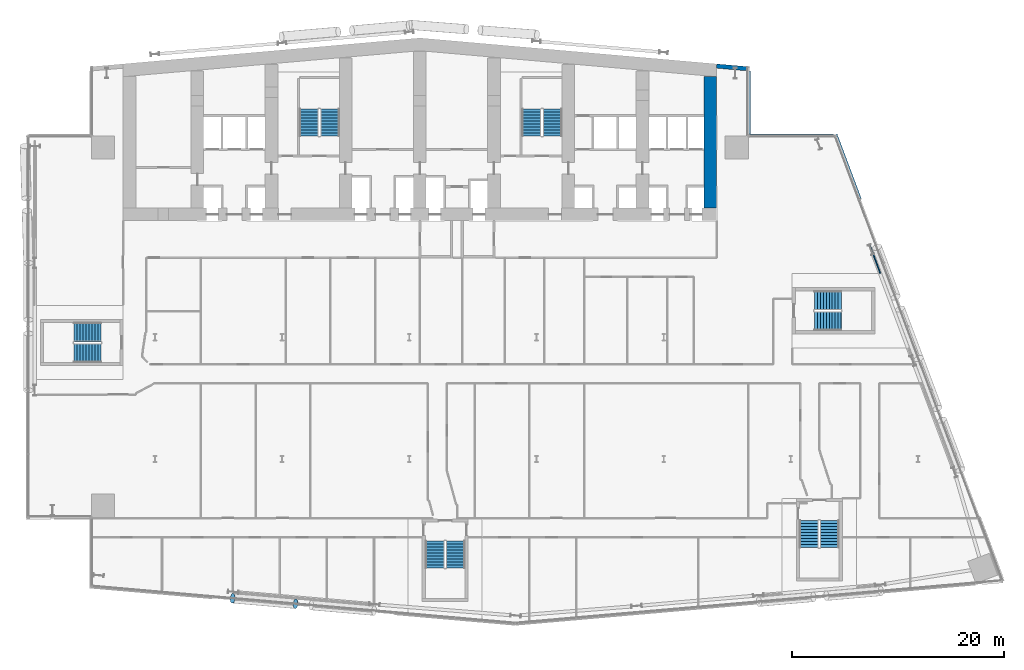
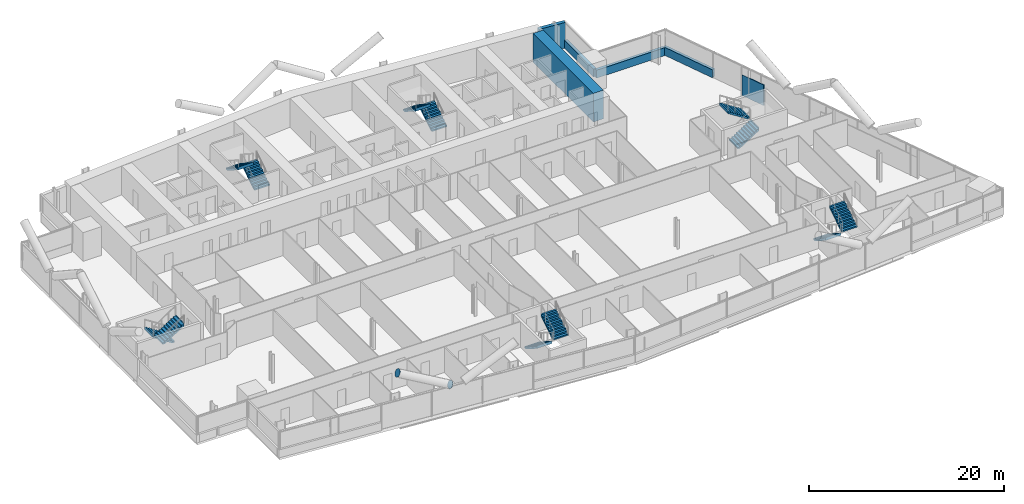
# One storey, part 20 of 27: 12 stair flights, 6 walls, 2 discrete accessories, 6 elements without a shape of their own.
"""IFC4 building model written with IfcOpenShell, lengths in metres."""

from ifc_helpers import new_model, si_unit, direction, frame, frame_2d, origin, origin_2d, place, context, subcontext, project, spatial, polyline, rectangle, circle, outline, extrude, material, layer, layer_set, material_profile, profile_set, type_object, element, aggregate, save


model = new_model("IFC4")

# Units and contexts
model_context = context("Model", 3, precision=1e-05, world=origin(), true_north=direction((0.0, 1.0)))
body_context = subcontext(model_context, "Body", "Model", "MODEL_VIEW")
ifc_project = project(units=[si_unit("LENGTHUNIT", "METRE"), si_unit("AREAUNIT", "SQUARE_METRE"), si_unit("VOLUMEUNIT", "CUBIC_METRE"), si_unit("PLANEANGLEUNIT", "RADIAN"), si_unit("MASSUNIT", "GRAM", prefix="KILO")], contexts=[model_context])

# Site, building, storey
site_placement = place(None, origin())
site = spatial("IfcSite", under=ifc_project, at=site_placement, CompositionType="ELEMENT")
building_placement = place(site_placement, origin())
building = spatial("IfcBuilding", under=site, at=building_placement, Name="Wharfspan Tower", CompositionType="ELEMENT")
storey_placement = place(building_placement, frame((0.0, 0.0, 55.899902)))
storey = spatial("IfcBuildingStorey", under=building, at=storey_placement, Name="L10", CompositionType="ELEMENT", Elevation=55.899902)

# Walls
ifc_material_1 = material(Name="Concrete C70/85", Category="concrete")
ifc_layer_1 = layer(ifc_material_1, 1.199951)
ifc_layer_set_1 = layer_set([ifc_layer_1], Name="Concrete C70/85")
wall_type_1 = type_object("IfcWallType", Name="Core wall 1200 C70/85", PredefinedType="SHEAR", material=ifc_layer_set_1)
wall_1_placement = place(storey_placement, frame((64.399902, 35.199951, 0.0), z_axis=(0.0, 0.0, 1.0), x_axis=(0.0, 1.0, 0.0)))
element("IfcWall", 1, at=wall_1_placement, inside=storey, type_object=wall_type_1, Name="Core cross wall EW1 L10", PredefinedType="SHEAR", context=body_context, shape_type="SweptSolid", body=[
    extrude(rectangle(XDim=12.382812, YDim=1.199951, at=frame_2d((6.191406, 0.0))), origin(), (0.0, 0.0, 1.0), 3.600098),
])
ifc_material_2 = material(Name="Gypsum board on steel studs", Category="steel")
ifc_layer_2 = layer(ifc_material_2, 0.100098)
ifc_layer_set_2 = layer_set([ifc_layer_2], Name="Gypsum board on steel studs")
wall_type_2 = type_object("IfcWallType", Name="Partition 100", PredefinedType="PARTITIONING", material=ifc_layer_set_2)
wall_2_placement = place(storey_placement, frame((80.44751, 29.02002, 0.0), z_axis=(0.0, 0.0, 1.0), x_axis=(-0.35129, 0.93627, 0.0)))
element("IfcWall", 2, at=wall_2_placement, inside=storey, type_object=wall_type_2, Name="Partition L10.w086", PredefinedType="PARTITIONING", context=body_context, shape_type="SweptSolid", body=[
    extrude(rectangle(XDim=2.910645, YDim=0.100098, at=frame_2d((1.455322, 0.0))), origin(), (0.0, 0.0, 1.0), 2.580078),
])
ifc_material_3 = material(Name="Concrete C40/50", Category="concrete")
ifc_layer_3 = layer(ifc_material_3, 0.350098)
ifc_layer_set_3 = layer_set([ifc_layer_3], Name="Concrete C40/50")
wall_type_3 = type_object("IfcWallType", Name="SPANDREL EXPOSED CONCRETE 350", PredefinedType="SOLIDWALL", material=ifc_layer_set_3)
wall_3_placement = place(storey_placement, frame((78.494141, 36.029785, 0.0), z_axis=(0.0, 0.0, 1.0), x_axis=(-0.351108, 0.936338, 0.0)))
element("IfcWall", 3, at=wall_3_placement, inside=storey, type_object=wall_type_3, Name="Spandrel upstand L10 E 2", PredefinedType="SOLIDWALL", context=body_context, shape_type="SweptSolid", body=[
    extrude(rectangle(XDim=6.50293, YDim=0.350098, at=frame_2d((3.251465, 0.0))), origin(), (0.0, 0.0, 1.0), 1.0),
])
wall_4_placement = place(storey_placement, frame((76.047119, 42.004883, 0.0), z_axis=(0.0, 0.0, 1.0), x_axis=(-1.0, 0.0, 0.0)))
element("IfcWall", 4, at=wall_4_placement, inside=storey, type_object=wall_type_3, Name="Spandrel upstand L10 NRE-H", PredefinedType="SOLIDWALL", context=body_context, shape_type="SweptSolid", body=[
    extrude(rectangle(XDim=8.047119, YDim=0.350098, at=frame_2d((4.023438, 0.0))), origin(), (0.0, 0.0, 1.0), 1.0),
])
wall_5_placement = place(storey_placement, frame((68.004883, 42.179932, 0.0), z_axis=(0.0, 0.0, 1.0), x_axis=(0.0, 1.0, 0.0)))
element("IfcWall", 5, at=wall_5_placement, inside=storey, type_object=wall_type_3, Name="Spandrel upstand L10 NRE-V", PredefinedType="SOLIDWALL", context=body_context, shape_type="SweptSolid", body=[
    extrude(rectangle(XDim=5.946533, YDim=0.350098, at=frame_2d((2.973145, 0.0))), origin(), (0.0, 0.0, 1.0), 1.0),
])
ifc_layer_4 = layer(ifc_material_3, 0.399902)
ifc_layer_set_4 = layer_set([ifc_layer_4], Name="Concrete C40/50")
wall_type_4 = type_object("IfcWallType", Name="WALL EXPOSED CONCRETE 400", PredefinedType="SOLIDWALL", material=ifc_layer_set_4)
wall_6_placement = place(storey_placement, frame((67.982666, 48.325684, 0.0), z_axis=(0.0, 0.0, 1.0), x_axis=(-0.996194, 0.087168, 0.0)))
element("IfcWall", 6, at=wall_6_placement, inside=storey, type_object=wall_type_4, Name="Rear wall N2", PredefinedType="SOLIDWALL", context=body_context, shape_type="SweptSolid", body=[
    extrude(rectangle(XDim=2.994141, YDim=0.399902, at=frame_2d((1.49707, 0.0))), origin(), (0.0, 0.0, 1.0), 3.200195),
])

# Stair, stair flights
stair_type = type_object("IfcStairType", Name="Half-turn stair 20 risers 180 mm", PredefinedType="HALF_TURN_STAIR", material=ifc_material_3)
stair_1_placement = place(storey_placement, origin())
stair_1 = element("IfcStair", 7, at=stair_1_placement, inside=storey, type_object=stair_type, Name="L10 stair ST1", PredefinedType="HALF_TURN_STAIR")
stair_flight_type = type_object("IfcStairFlightType", Name="Stair flight 20 risers 180 mm", PredefinedType="STRAIGHT", material=ifc_material_3)
stair_flight_1_placement = place(storey_placement, frame((28.5, 42.0, 0.0), z_axis=(0.0, 0.0, 1.0), x_axis=(0.0, 1.0, 0.0)))
stair_flight_1 = element("IfcStairFlight", 8, at=stair_flight_1_placement, type_object=stair_flight_type, Name="ST1 flight 1", NumberOfRisers=10, NumberOfTreads=9, PredefinedType="STRAIGHT", RiserHeight=0.18, TreadLength=0.28, context=body_context, shape_type="SweptSolid", body=[
    extrude(outline(polyline([(-0.011963, 0.0), (-0.011963, 0.179932), (0.0, 0.179932), (0.280029, 0.179932), (0.280029, 0.360107), (0.560059, 0.360107), (0.560059, 0.540039), (0.840088, 0.540039), (0.840088, 0.719971), (1.120117, 0.719971), (1.120117, 0.899902), (1.399902, 0.899902), (1.399902, 1.080078), (1.679932, 1.080078), (1.679932, 1.26001), (1.959961, 1.26001), (1.959961, 1.439941), (2.23999, 1.439941), (2.23999, 1.620117), (2.52002, 1.620117), (2.531982, 1.800049), (2.531982, 1.441895), (0.2771, 0.0), (-0.011963, 0.0)])), frame((0.0, 0.899902, 0.0), z_axis=(0.0, -1.0, 0.0), x_axis=(1.0, 0.0, 0.0)), (0.0, 0.0, 1.0), 0.899414),
    extrude(outline(polyline([(-0.011963, 0.0), (-0.011963, 0.179932), (0.0, 0.179932), (0.280029, 0.179932), (0.280029, 0.360107), (0.560059, 0.360107), (0.560059, 0.540039), (0.840088, 0.540039), (0.840088, 0.719971), (1.120117, 0.719971), (1.120117, 0.899902), (1.399902, 0.899902), (1.399902, 1.080078), (1.679932, 1.080078), (1.679932, 1.26001), (1.959961, 1.26001), (1.959961, 1.439941), (2.23999, 1.439941), (2.23999, 1.620117), (2.52002, 1.620117), (2.531982, 1.800049), (2.531982, 1.441895), (0.2771, 0.0), (-0.011963, 0.0)])), frame((0.0, -0.000488, 0.0), z_axis=(0.0, -1.0, 0.0), x_axis=(1.0, 0.0, 0.0)), (0.0, 0.0, 1.0), 0.899414),
])
stair_flight_2_placement = place(storey_placement, frame((26.550049, 44.52002, 1.800049), z_axis=(0.0, 0.0, 1.0), x_axis=(0.0, -1.0, 0.0)))
stair_flight_2 = element("IfcStairFlight", 9, at=stair_flight_2_placement, type_object=stair_flight_type, Name="ST1 flight 2", NumberOfRisers=10, NumberOfTreads=9, PredefinedType="STRAIGHT", RiserHeight=0.18, TreadLength=0.28, context=body_context, shape_type="SweptSolid", body=[
    extrude(outline(polyline([(-0.011963, 0.0), (-0.011963, 0.179932), (0.0, 0.179932), (0.280029, 0.179932), (0.280029, 0.360107), (0.560059, 0.360107), (0.560059, 0.540039), (0.840088, 0.540039), (0.840088, 0.719971), (1.120117, 0.719971), (1.120117, 0.899902), (1.399902, 0.899902), (1.399902, 1.080078), (1.679932, 1.080078), (1.679932, 1.26001), (1.959961, 1.26001), (1.959961, 1.439941), (2.23999, 1.439941), (2.23999, 1.620117), (2.52002, 1.620117), (2.531982, 1.800049), (2.531982, 1.441895), (0.2771, 0.0), (-0.011963, 0.0)])), frame((0.0, 0.899902, 0.0), z_axis=(0.0, -1.0, 0.0), x_axis=(1.0, 0.0, 0.0)), (0.0, 0.0, 1.0), 0.899414),
    extrude(outline(polyline([(-0.011963, 0.0), (-0.011963, 0.179932), (0.0, 0.179932), (0.280029, 0.179932), (0.280029, 0.360107), (0.560059, 0.360107), (0.560059, 0.540039), (0.840088, 0.540039), (0.840088, 0.719971), (1.120117, 0.719971), (1.120117, 0.899902), (1.399902, 0.899902), (1.399902, 1.080078), (1.679932, 1.080078), (1.679932, 1.26001), (1.959961, 1.26001), (1.959961, 1.439941), (2.23999, 1.439941), (2.23999, 1.620117), (2.52002, 1.620117), (2.531982, 1.800049), (2.531982, 1.441895), (0.2771, 0.0), (-0.011963, 0.0)])), frame((0.0, -0.000488, 0.0), z_axis=(0.0, -1.0, 0.0), x_axis=(1.0, 0.0, 0.0)), (0.0, 0.0, 1.0), 0.899414),
])
aggregate(stair_1, [stair_flight_1, stair_flight_2])

stair_2_placement = place(storey_placement, origin())
stair_2 = element("IfcStair", 10, at=stair_2_placement, inside=storey, type_object=stair_type, Name="L10 stair ST2", PredefinedType="HALF_TURN_STAIR")
stair_flight_3_placement = place(storey_placement, frame((49.5, 42.0, 0.0), z_axis=(0.0, 0.0, 1.0), x_axis=(0.0, 1.0, 0.0)))
stair_flight_3 = element("IfcStairFlight", 11, at=stair_flight_3_placement, type_object=stair_flight_type, Name="ST2 flight 1", NumberOfRisers=10, NumberOfTreads=9, PredefinedType="STRAIGHT", RiserHeight=0.18, TreadLength=0.28, context=body_context, shape_type="SweptSolid", body=[
    extrude(outline(polyline([(-0.011963, 0.0), (-0.011963, 0.179932), (0.0, 0.179932), (0.280029, 0.179932), (0.280029, 0.360107), (0.560059, 0.360107), (0.560059, 0.540039), (0.840088, 0.540039), (0.840088, 0.719971), (1.120117, 0.719971), (1.120117, 0.899902), (1.399902, 0.899902), (1.399902, 1.080078), (1.679932, 1.080078), (1.679932, 1.26001), (1.959961, 1.26001), (1.959961, 1.439941), (2.23999, 1.439941), (2.23999, 1.620117), (2.52002, 1.620117), (2.531982, 1.800049), (2.531982, 1.441895), (0.2771, 0.0), (-0.011963, 0.0)])), frame((0.0, 0.899902, 0.0), z_axis=(0.0, -1.0, 0.0), x_axis=(1.0, 0.0, 0.0)), (0.0, 0.0, 1.0), 0.899414),
    extrude(outline(polyline([(-0.011963, 0.0), (-0.011963, 0.179932), (0.0, 0.179932), (0.280029, 0.179932), (0.280029, 0.360107), (0.560059, 0.360107), (0.560059, 0.540039), (0.840088, 0.540039), (0.840088, 0.719971), (1.120117, 0.719971), (1.120117, 0.899902), (1.399902, 0.899902), (1.399902, 1.080078), (1.679932, 1.080078), (1.679932, 1.26001), (1.959961, 1.26001), (1.959961, 1.439941), (2.23999, 1.439941), (2.23999, 1.620117), (2.52002, 1.620117), (2.531982, 1.800049), (2.531982, 1.441895), (0.2771, 0.0), (-0.011963, 0.0)])), frame((0.0, -0.000488, 0.0), z_axis=(0.0, -1.0, 0.0), x_axis=(1.0, 0.0, 0.0)), (0.0, 0.0, 1.0), 0.899414),
])
stair_flight_4_placement = place(storey_placement, frame((47.550049, 44.52002, 1.800049), z_axis=(0.0, 0.0, 1.0), x_axis=(0.0, -1.0, 0.0)))
stair_flight_4 = element("IfcStairFlight", 12, at=stair_flight_4_placement, type_object=stair_flight_type, Name="ST2 flight 2", NumberOfRisers=10, NumberOfTreads=9, PredefinedType="STRAIGHT", RiserHeight=0.18, TreadLength=0.28, context=body_context, shape_type="SweptSolid", body=[
    extrude(outline(polyline([(-0.011963, 0.0), (-0.011963, 0.179932), (0.0, 0.179932), (0.280029, 0.179932), (0.280029, 0.360107), (0.560059, 0.360107), (0.560059, 0.540039), (0.840088, 0.540039), (0.840088, 0.719971), (1.120117, 0.719971), (1.120117, 0.899902), (1.399902, 0.899902), (1.399902, 1.080078), (1.679932, 1.080078), (1.679932, 1.26001), (1.959961, 1.26001), (1.959961, 1.439941), (2.23999, 1.439941), (2.23999, 1.620117), (2.52002, 1.620117), (2.531982, 1.800049), (2.531982, 1.441895), (0.2771, 0.0), (-0.011963, 0.0)])), frame((0.0, 0.899902, 0.0), z_axis=(0.0, -1.0, 0.0), x_axis=(1.0, 0.0, 0.0)), (0.0, 0.0, 1.0), 0.899414),
    extrude(outline(polyline([(-0.011963, 0.0), (-0.011963, 0.179932), (0.0, 0.179932), (0.280029, 0.179932), (0.280029, 0.360107), (0.560059, 0.360107), (0.560059, 0.540039), (0.840088, 0.540039), (0.840088, 0.719971), (1.120117, 0.719971), (1.120117, 0.899902), (1.399902, 0.899902), (1.399902, 1.080078), (1.679932, 1.080078), (1.679932, 1.26001), (1.959961, 1.26001), (1.959961, 1.439941), (2.23999, 1.439941), (2.23999, 1.620117), (2.52002, 1.620117), (2.531982, 1.800049), (2.531982, 1.441895), (0.2771, 0.0), (-0.011963, 0.0)])), frame((0.0, -0.000488, 0.0), z_axis=(0.0, -1.0, 0.0), x_axis=(1.0, 0.0, 0.0)), (0.0, 0.0, 1.0), 0.899414),
])
aggregate(stair_2, [stair_flight_3, stair_flight_4])

stair_3_placement = place(storey_placement, origin())
stair_3 = element("IfcStair", 13, at=stair_3_placement, inside=storey, type_object=stair_type, Name="L10 stair ST3", PredefinedType="HALF_TURN_STAIR")
stair_flight_5_placement = place(storey_placement, frame((6.899902, 23.475098, 0.0), z_axis=(0.0, 0.0, 1.0), x_axis=(-1.0, 0.0, 0.0)))
stair_flight_5 = element("IfcStairFlight", 14, at=stair_flight_5_placement, type_object=stair_flight_type, Name="ST3 flight 1", NumberOfRisers=10, NumberOfTreads=9, PredefinedType="STRAIGHT", RiserHeight=0.18, TreadLength=0.28, context=body_context, shape_type="SweptSolid", body=[
    extrude(outline(polyline([(-0.011963, 0.0), (-0.011963, 0.179932), (0.0, 0.179932), (0.280029, 0.179932), (0.280029, 0.360107), (0.560059, 0.360107), (0.560059, 0.540039), (0.840088, 0.540039), (0.840088, 0.719971), (1.120117, 0.719971), (1.120117, 0.899902), (1.399902, 0.899902), (1.399902, 1.080078), (1.679932, 1.080078), (1.679932, 1.26001), (1.959961, 1.26001), (1.959961, 1.439941), (2.23999, 1.439941), (2.23999, 1.620117), (2.52002, 1.620117), (2.531982, 1.800049), (2.531982, 1.441895), (0.2771, 0.0), (-0.011963, 0.0)])), frame((0.0, 0.899902, 0.0), z_axis=(0.0, -1.0, 0.0), x_axis=(1.0, 0.0, 0.0)), (0.0, 0.0, 1.0), 0.899414),
    extrude(outline(polyline([(-0.011963, 0.0), (-0.011963, 0.179932), (0.0, 0.179932), (0.280029, 0.179932), (0.280029, 0.360107), (0.560059, 0.360107), (0.560059, 0.540039), (0.840088, 0.540039), (0.840088, 0.719971), (1.120117, 0.719971), (1.120117, 0.899902), (1.399902, 0.899902), (1.399902, 1.080078), (1.679932, 1.080078), (1.679932, 1.26001), (1.959961, 1.26001), (1.959961, 1.439941), (2.23999, 1.439941), (2.23999, 1.620117), (2.52002, 1.620117), (2.531982, 1.800049), (2.531982, 1.441895), (0.2771, 0.0), (-0.011963, 0.0)])), frame((0.0, -0.000488, 0.0), z_axis=(0.0, -1.0, 0.0), x_axis=(1.0, 0.0, 0.0)), (0.0, 0.0, 1.0), 0.899414),
])
stair_flight_6_placement = place(storey_placement, frame((4.379883, 21.524902, 1.800049), z_axis=(0.0, 0.0, 1.0), x_axis=(1.0, 0.0, 0.0)))
stair_flight_6 = element("IfcStairFlight", 15, at=stair_flight_6_placement, type_object=stair_flight_type, Name="ST3 flight 2", NumberOfRisers=10, NumberOfTreads=9, PredefinedType="STRAIGHT", RiserHeight=0.18, TreadLength=0.28, context=body_context, shape_type="SweptSolid", body=[
    extrude(outline(polyline([(-0.011963, 0.0), (-0.011963, 0.179932), (0.0, 0.179932), (0.280029, 0.179932), (0.280029, 0.360107), (0.560059, 0.360107), (0.560059, 0.540039), (0.840088, 0.540039), (0.840088, 0.719971), (1.120117, 0.719971), (1.120117, 0.899902), (1.399902, 0.899902), (1.399902, 1.080078), (1.679932, 1.080078), (1.679932, 1.26001), (1.959961, 1.26001), (1.959961, 1.439941), (2.23999, 1.439941), (2.23999, 1.620117), (2.52002, 1.620117), (2.531982, 1.800049), (2.531982, 1.441895), (0.2771, 0.0), (-0.011963, 0.0)])), frame((0.0, 0.899902, 0.0), z_axis=(0.0, -1.0, 0.0), x_axis=(1.0, 0.0, 0.0)), (0.0, 0.0, 1.0), 0.899414),
    extrude(outline(polyline([(-0.011963, 0.0), (-0.011963, 0.179932), (0.0, 0.179932), (0.280029, 0.179932), (0.280029, 0.360107), (0.560059, 0.360107), (0.560059, 0.540039), (0.840088, 0.540039), (0.840088, 0.719971), (1.120117, 0.719971), (1.120117, 0.899902), (1.399902, 0.899902), (1.399902, 1.080078), (1.679932, 1.080078), (1.679932, 1.26001), (1.959961, 1.26001), (1.959961, 1.439941), (2.23999, 1.439941), (2.23999, 1.620117), (2.52002, 1.620117), (2.531982, 1.800049), (2.531982, 1.441895), (0.2771, 0.0), (-0.011963, 0.0)])), frame((0.0, -0.000488, 0.0), z_axis=(0.0, -1.0, 0.0), x_axis=(1.0, 0.0, 0.0)), (0.0, 0.0, 1.0), 0.899414),
])
aggregate(stair_3, [stair_flight_5, stair_flight_6])

stair_4_placement = place(storey_placement, origin())
stair_4 = element("IfcStair", 16, at=stair_4_placement, inside=storey, type_object=stair_type, Name="L10 stair ST4", PredefinedType="HALF_TURN_STAIR")
stair_flight_7_placement = place(storey_placement, frame((38.408203, 3.760498, 0.0), z_axis=(0.0, 0.0, 1.0), x_axis=(0.0, -1.0, 0.0)))
stair_flight_7 = element("IfcStairFlight", 17, at=stair_flight_7_placement, type_object=stair_flight_type, Name="ST4 flight 1", NumberOfRisers=10, NumberOfTreads=9, PredefinedType="STRAIGHT", RiserHeight=0.18, TreadLength=0.28, context=body_context, shape_type="SweptSolid", body=[
    extrude(outline(polyline([(-0.011963, 0.0), (-0.011963, 0.179932), (0.0, 0.179932), (0.280029, 0.179932), (0.280029, 0.360107), (0.560059, 0.360107), (0.560059, 0.540039), (0.840088, 0.540039), (0.840088, 0.719971), (1.120117, 0.719971), (1.120117, 0.899902), (1.399902, 0.899902), (1.399902, 1.080078), (1.679932, 1.080078), (1.679932, 1.26001), (1.959961, 1.26001), (1.959961, 1.439941), (2.23999, 1.439941), (2.23999, 1.620117), (2.52002, 1.620117), (2.531982, 1.800049), (2.531982, 1.441895), (0.2771, 0.0), (-0.011963, 0.0)])), frame((0.0, 0.899902, 0.0), z_axis=(0.0, -1.0, 0.0), x_axis=(1.0, 0.0, 0.0)), (0.0, 0.0, 1.0), 0.899414),
    extrude(outline(polyline([(-0.011963, 0.0), (-0.011963, 0.179932), (0.0, 0.179932), (0.280029, 0.179932), (0.280029, 0.360107), (0.560059, 0.360107), (0.560059, 0.540039), (0.840088, 0.540039), (0.840088, 0.719971), (1.120117, 0.719971), (1.120117, 0.899902), (1.399902, 0.899902), (1.399902, 1.080078), (1.679932, 1.080078), (1.679932, 1.26001), (1.959961, 1.26001), (1.959961, 1.439941), (2.23999, 1.439941), (2.23999, 1.620117), (2.52002, 1.620117), (2.531982, 1.800049), (2.531982, 1.441895), (0.2771, 0.0), (-0.011963, 0.0)])), frame((0.0, -0.000488, 0.0), z_axis=(0.0, -1.0, 0.0), x_axis=(1.0, 0.0, 0.0)), (0.0, 0.0, 1.0), 0.899414),
])
stair_flight_8_placement = place(storey_placement, frame((40.358398, 1.240723, 1.800049), z_axis=(0.0, 0.0, 1.0), x_axis=(0.0, 1.0, 0.0)))
stair_flight_8 = element("IfcStairFlight", 18, at=stair_flight_8_placement, type_object=stair_flight_type, Name="ST4 flight 2", NumberOfRisers=10, NumberOfTreads=9, PredefinedType="STRAIGHT", RiserHeight=0.18, TreadLength=0.28, context=body_context, shape_type="SweptSolid", body=[
    extrude(outline(polyline([(-0.011963, 0.0), (-0.011963, 0.179932), (0.0, 0.179932), (0.280029, 0.179932), (0.280029, 0.360107), (0.560059, 0.360107), (0.560059, 0.540039), (0.840088, 0.540039), (0.840088, 0.719971), (1.120117, 0.719971), (1.120117, 0.899902), (1.399902, 0.899902), (1.399902, 1.080078), (1.679932, 1.080078), (1.679932, 1.26001), (1.959961, 1.26001), (1.959961, 1.439941), (2.23999, 1.439941), (2.23999, 1.620117), (2.52002, 1.620117), (2.531982, 1.800049), (2.531982, 1.441895), (0.2771, 0.0), (-0.011963, 0.0)])), frame((0.0, 0.899902, 0.0), z_axis=(0.0, -1.0, 0.0), x_axis=(1.0, 0.0, 0.0)), (0.0, 0.0, 1.0), 0.899414),
    extrude(outline(polyline([(-0.011963, 0.0), (-0.011963, 0.179932), (0.0, 0.179932), (0.280029, 0.179932), (0.280029, 0.360107), (0.560059, 0.360107), (0.560059, 0.540039), (0.840088, 0.540039), (0.840088, 0.719971), (1.120117, 0.719971), (1.120117, 0.899902), (1.399902, 0.899902), (1.399902, 1.080078), (1.679932, 1.080078), (1.679932, 1.26001), (1.959961, 1.26001), (1.959961, 1.439941), (2.23999, 1.439941), (2.23999, 1.620117), (2.52002, 1.620117), (2.531982, 1.800049), (2.531982, 1.441895), (0.2771, 0.0), (-0.011963, 0.0)])), frame((0.0, -0.000488, 0.0), z_axis=(0.0, -1.0, 0.0), x_axis=(1.0, 0.0, 0.0)), (0.0, 0.0, 1.0), 0.899414),
])
aggregate(stair_4, [stair_flight_7, stair_flight_8])

stair_5_placement = place(storey_placement, origin())
stair_5 = element("IfcStair", 19, at=stair_5_placement, inside=storey, type_object=stair_type, Name="L10 stair ST5", PredefinedType="HALF_TURN_STAIR")
stair_flight_9_placement = place(storey_placement, frame((73.717529, 5.691895, 0.0), z_axis=(0.0, 0.0, 1.0), x_axis=(0.0, -1.0, 0.0)))
stair_flight_9 = element("IfcStairFlight", 20, at=stair_flight_9_placement, type_object=stair_flight_type, Name="ST5 flight 1", NumberOfRisers=10, NumberOfTreads=9, PredefinedType="STRAIGHT", RiserHeight=0.18, TreadLength=0.28, context=body_context, shape_type="SweptSolid", body=[
    extrude(outline(polyline([(-0.011963, 0.0), (-0.011963, 0.179932), (0.0, 0.179932), (0.280029, 0.179932), (0.280029, 0.360107), (0.560059, 0.360107), (0.560059, 0.540039), (0.840088, 0.540039), (0.840088, 0.719971), (1.120117, 0.719971), (1.120117, 0.899902), (1.399902, 0.899902), (1.399902, 1.080078), (1.679932, 1.080078), (1.679932, 1.26001), (1.959961, 1.26001), (1.959961, 1.439941), (2.23999, 1.439941), (2.23999, 1.620117), (2.52002, 1.620117), (2.531982, 1.800049), (2.531982, 1.441895), (0.2771, 0.0), (-0.011963, 0.0)])), frame((0.0, 0.899902, 0.0), z_axis=(0.0, -1.0, 0.0), x_axis=(1.0, 0.0, 0.0)), (0.0, 0.0, 1.0), 0.899414),
    extrude(outline(polyline([(-0.011963, 0.0), (-0.011963, 0.179932), (0.0, 0.179932), (0.280029, 0.179932), (0.280029, 0.360107), (0.560059, 0.360107), (0.560059, 0.540039), (0.840088, 0.540039), (0.840088, 0.719971), (1.120117, 0.719971), (1.120117, 0.899902), (1.399902, 0.899902), (1.399902, 1.080078), (1.679932, 1.080078), (1.679932, 1.26001), (1.959961, 1.26001), (1.959961, 1.439941), (2.23999, 1.439941), (2.23999, 1.620117), (2.52002, 1.620117), (2.531982, 1.800049), (2.531982, 1.441895), (0.2771, 0.0), (-0.011963, 0.0)])), frame((0.0, -0.000488, 0.0), z_axis=(0.0, -1.0, 0.0), x_axis=(1.0, 0.0, 0.0)), (0.0, 0.0, 1.0), 0.899414),
])
stair_flight_10_placement = place(storey_placement, frame((75.66748, 3.172119, 1.800049), z_axis=(0.0, 0.0, 1.0), x_axis=(0.0, 1.0, 0.0)))
stair_flight_10 = element("IfcStairFlight", 21, at=stair_flight_10_placement, type_object=stair_flight_type, Name="ST5 flight 2", NumberOfRisers=10, NumberOfTreads=9, PredefinedType="STRAIGHT", RiserHeight=0.18, TreadLength=0.28, context=body_context, shape_type="SweptSolid", body=[
    extrude(outline(polyline([(-0.011963, 0.0), (-0.011963, 0.179932), (0.0, 0.179932), (0.280029, 0.179932), (0.280029, 0.360107), (0.560059, 0.360107), (0.560059, 0.540039), (0.840088, 0.540039), (0.840088, 0.719971), (1.120117, 0.719971), (1.120117, 0.899902), (1.399902, 0.899902), (1.399902, 1.080078), (1.679932, 1.080078), (1.679932, 1.26001), (1.959961, 1.26001), (1.959961, 1.439941), (2.23999, 1.439941), (2.23999, 1.620117), (2.52002, 1.620117), (2.531982, 1.800049), (2.531982, 1.441895), (0.2771, 0.0), (-0.011963, 0.0)])), frame((0.0, 0.899902, 0.0), z_axis=(0.0, -1.0, 0.0), x_axis=(1.0, 0.0, 0.0)), (0.0, 0.0, 1.0), 0.899414),
    extrude(outline(polyline([(-0.011963, 0.0), (-0.011963, 0.179932), (0.0, 0.179932), (0.280029, 0.179932), (0.280029, 0.360107), (0.560059, 0.360107), (0.560059, 0.540039), (0.840088, 0.540039), (0.840088, 0.719971), (1.120117, 0.719971), (1.120117, 0.899902), (1.399902, 0.899902), (1.399902, 1.080078), (1.679932, 1.080078), (1.679932, 1.26001), (1.959961, 1.26001), (1.959961, 1.439941), (2.23999, 1.439941), (2.23999, 1.620117), (2.52002, 1.620117), (2.531982, 1.800049), (2.531982, 1.441895), (0.2771, 0.0), (-0.011963, 0.0)])), frame((0.0, -0.000488, 0.0), z_axis=(0.0, -1.0, 0.0), x_axis=(1.0, 0.0, 0.0)), (0.0, 0.0, 1.0), 0.899414),
])
aggregate(stair_5, [stair_flight_9, stair_flight_10])

stair_6_placement = place(storey_placement, origin())
stair_6 = element("IfcStair", 22, at=stair_6_placement, inside=storey, type_object=stair_type, Name="L10 stair ST6", PredefinedType="HALF_TURN_STAIR")
stair_flight_11_placement = place(storey_placement, frame((74.225098, 24.524902, 0.0), z_axis=(0.0, 0.0, 1.0), x_axis=(1.0, 0.0, 0.0)))
stair_flight_11 = element("IfcStairFlight", 23, at=stair_flight_11_placement, type_object=stair_flight_type, Name="ST6 flight 1", NumberOfRisers=10, NumberOfTreads=9, PredefinedType="STRAIGHT", RiserHeight=0.18, TreadLength=0.28, context=body_context, shape_type="SweptSolid", body=[
    extrude(outline(polyline([(-0.011963, 0.0), (-0.011963, 0.179932), (0.0, 0.179932), (0.280029, 0.179932), (0.280029, 0.360107), (0.560059, 0.360107), (0.560059, 0.540039), (0.840088, 0.540039), (0.840088, 0.719971), (1.120117, 0.719971), (1.120117, 0.899902), (1.399902, 0.899902), (1.399902, 1.080078), (1.679932, 1.080078), (1.679932, 1.26001), (1.959961, 1.26001), (1.959961, 1.439941), (2.23999, 1.439941), (2.23999, 1.620117), (2.52002, 1.620117), (2.531982, 1.800049), (2.531982, 1.441895), (0.2771, 0.0), (-0.011963, 0.0)])), frame((0.0, 0.899902, 0.0), z_axis=(0.0, -1.0, 0.0), x_axis=(1.0, 0.0, 0.0)), (0.0, 0.0, 1.0), 0.899414),
    extrude(outline(polyline([(-0.011963, 0.0), (-0.011963, 0.179932), (0.0, 0.179932), (0.280029, 0.179932), (0.280029, 0.360107), (0.560059, 0.360107), (0.560059, 0.540039), (0.840088, 0.540039), (0.840088, 0.719971), (1.120117, 0.719971), (1.120117, 0.899902), (1.399902, 0.899902), (1.399902, 1.080078), (1.679932, 1.080078), (1.679932, 1.26001), (1.959961, 1.26001), (1.959961, 1.439941), (2.23999, 1.439941), (2.23999, 1.620117), (2.52002, 1.620117), (2.531982, 1.800049), (2.531982, 1.441895), (0.2771, 0.0), (-0.011963, 0.0)])), frame((0.0, -0.000488, 0.0), z_axis=(0.0, -1.0, 0.0), x_axis=(1.0, 0.0, 0.0)), (0.0, 0.0, 1.0), 0.899414),
])
stair_flight_12_placement = place(storey_placement, frame((76.745117, 26.475098, 1.800049), z_axis=(0.0, 0.0, 1.0), x_axis=(-1.0, 0.0, 0.0)))
stair_flight_12 = element("IfcStairFlight", 24, at=stair_flight_12_placement, type_object=stair_flight_type, Name="ST6 flight 2", NumberOfRisers=10, NumberOfTreads=9, PredefinedType="STRAIGHT", RiserHeight=0.18, TreadLength=0.28, context=body_context, shape_type="SweptSolid", body=[
    extrude(outline(polyline([(-0.011963, 0.0), (-0.011963, 0.179932), (0.0, 0.179932), (0.280029, 0.179932), (0.280029, 0.360107), (0.560059, 0.360107), (0.560059, 0.540039), (0.840088, 0.540039), (0.840088, 0.719971), (1.120117, 0.719971), (1.120117, 0.899902), (1.399902, 0.899902), (1.399902, 1.080078), (1.679932, 1.080078), (1.679932, 1.26001), (1.959961, 1.26001), (1.959961, 1.439941), (2.23999, 1.439941), (2.23999, 1.620117), (2.52002, 1.620117), (2.531982, 1.800049), (2.531982, 1.441895), (0.2771, 0.0), (-0.011963, 0.0)])), frame((0.0, 0.899902, 0.0), z_axis=(0.0, -1.0, 0.0), x_axis=(1.0, 0.0, 0.0)), (0.0, 0.0, 1.0), 0.899414),
    extrude(outline(polyline([(-0.011963, 0.0), (-0.011963, 0.179932), (0.0, 0.179932), (0.280029, 0.179932), (0.280029, 0.360107), (0.560059, 0.360107), (0.560059, 0.540039), (0.840088, 0.540039), (0.840088, 0.719971), (1.120117, 0.719971), (1.120117, 0.899902), (1.399902, 0.899902), (1.399902, 1.080078), (1.679932, 1.080078), (1.679932, 1.26001), (1.959961, 1.26001), (1.959961, 1.439941), (2.23999, 1.439941), (2.23999, 1.620117), (2.52002, 1.620117), (2.531982, 1.800049), (2.531982, 1.441895), (0.2771, 0.0), (-0.011963, 0.0)])), frame((0.0, -0.000488, 0.0), z_axis=(0.0, -1.0, 0.0), x_axis=(1.0, 0.0, 0.0)), (0.0, 0.0, 1.0), 0.899414),
])
aggregate(stair_6, [stair_flight_11, stair_flight_12])

# Discrete accessories
ifc_material_4 = material(Name="Steel S460NH", Category="steel")
ifc_material_profile = material_profile(ifc_material_4, circle(Radius=0.457031, at=origin_2d()))
ifc_profile_set = profile_set([ifc_material_profile], Name="Steel S460NH")
discrete_accessory_type = type_object("IfcDiscreteAccessoryType", Name="End plate CHS 914x40", PredefinedType="BRACKET", material=ifc_profile_set)
for number, where, z_axis, x_axis, name in (
    (25, (25.271973, -2.155762, 3.295898), (-0.881993, 0.073499, 0.465496), (-0.083046, -0.996545, -2e-06), "End plate CHS 914x40"),
    (26, (19.338135, -1.636719, 6.5), (-0.871847, 0.072654, 0.484359), (-0.083044, -0.996547, 3e-06), "End plate CHS 914x40"),
):
    element("IfcDiscreteAccessory", number, at=place(storey_placement, frame(where, z_axis=z_axis, x_axis=x_axis)), inside=storey, type_object=discrete_accessory_type, Name=name, PredefinedType="BRACKET", context=body_context, shape_type="SweptSolid", body=[
        extrude(circle(Radius=0.457031, at=origin_2d()), origin(), (0.0, 0.0, 1.0), 0.01001),
    ])

save(model, "model.ifc")
